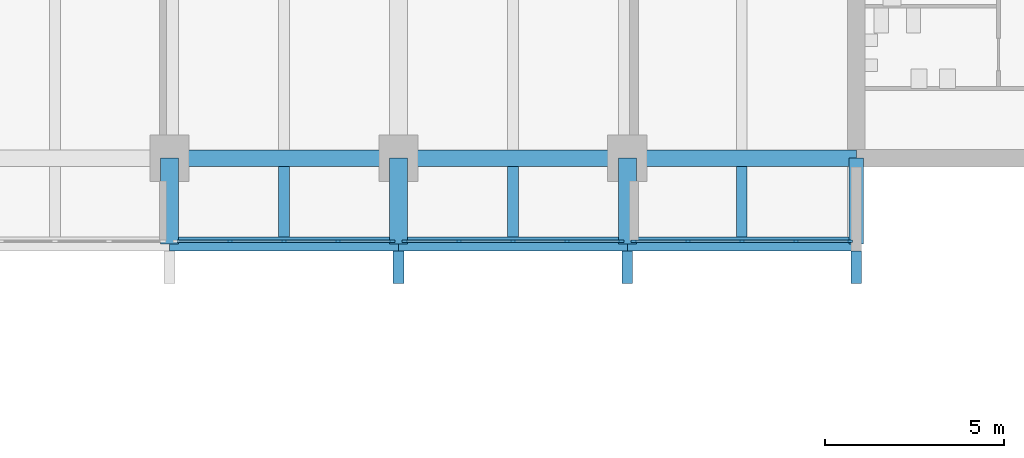
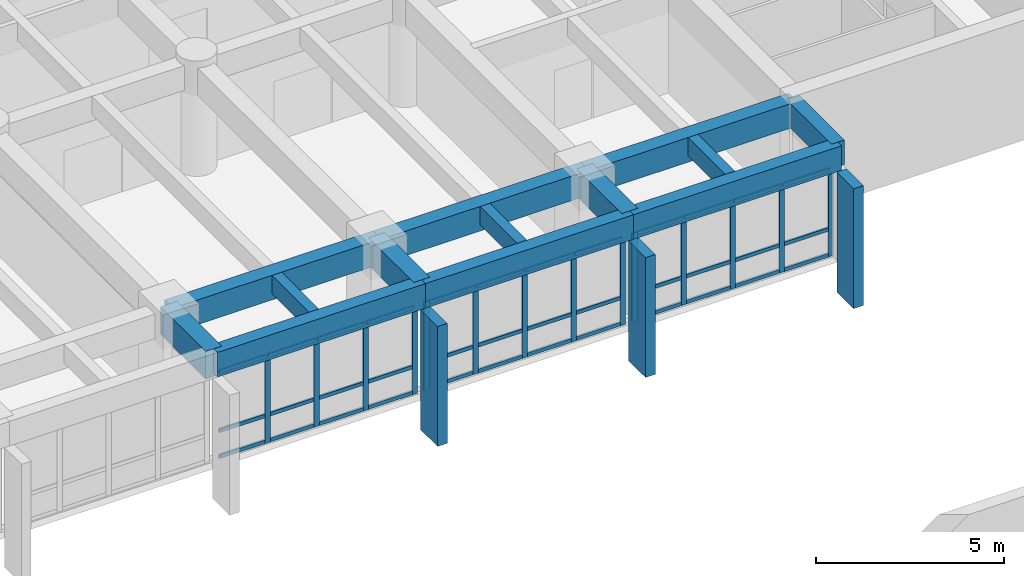
# One storey, part 3 of 19: 53 members, 13 beams, 3 elements without a shape of their own.
"""IFC4 building model written with IfcOpenShell, lengths in metres."""

import ifcopenshell
import ifcopenshell.guid

model = None  # the IFC model being written
_history = None  # IfcOwnerHistory: only IFC2X3 demands one
_inside = {}  # id of a spatial element -> (the spatial element, [elements in it])
_under = {}  # id of a project, library or spatial element -> (it, [spatial elements below it])
_declared = {}  # id of a project -> (the project, [libraries it declares])
_typed = {}  # id of a type object -> (the type object, [elements of that type])
_made_of = {}  # id of a material, layer set ... -> (it, [elements and type objects made of it])


def new_model(schema):
    """Start an empty IFC model of exactly this schema.

    Asked for "IFC4X3", IfcOpenShell would pick the latest addendum, in which some entities
    have other attributes; the version numbers below select the first issue.
    IFC2X3 requires an IfcOwnerHistory on every rooted entity: one is made here for all.
    """
    global model, _history
    if schema == "IFC4X3":
        model = ifcopenshell.file(schema_version=(4, 3, 0, 0))
    else:
        model = ifcopenshell.file(schema=schema)
    _inside.clear()
    _under.clear()
    _declared.clear()
    _typed.clear()
    _made_of.clear()
    _history = None
    if model.schema == "IFC2X3":
        org = make("IfcOrganization", Name="unknown")
        user = make(
            "IfcPersonAndOrganization",
            ThePerson=make("IfcPerson", FamilyName="unknown"),
            TheOrganization=org,
        )
        app = make(
            "IfcApplication",
            ApplicationDeveloper=org,
            Version="unknown",
            ApplicationFullName="unknown",
            ApplicationIdentifier="unknown",
        )
        _history = make(
            "IfcOwnerHistory",
            OwningUser=user,
            OwningApplication=app,
            ChangeAction="ADDED",
            CreationDate=0,
        )
    return model


def make(cls, **values):
    """One entity of the class cls with the attributes given. An attribute that is None is left unset."""
    return model.create_entity(
        cls, **{name: value for name, value in values.items() if value is not None}
    )


def rooted(cls, **values):
    """An entity with a GlobalId (a new one), such as an element, a storey or a relation."""
    return make(cls, GlobalId=ifcopenshell.guid.new(), OwnerHistory=_history, **values)


def si_unit(unit_type, name, prefix=None):
    """IfcSIUnit, for example si_unit("LENGTHUNIT", "METRE", prefix="MILLI")."""
    return make("IfcSIUnit", UnitType=unit_type, Prefix=prefix, Name=name)


def assignment(units):
    """IfcUnitAssignment: the units of a project."""
    return None if units is None else make("IfcUnitAssignment", Units=units)


def point(xyz):
    """IfcCartesianPoint."""
    return None if xyz is None else make("IfcCartesianPoint", Coordinates=xyz)


def direction(xyz):
    """IfcDirection."""
    return None if xyz is None else make("IfcDirection", DirectionRatios=xyz)


def frame(location, z_axis=None, x_axis=None):
    """IfcAxis2Placement3D, a coordinate frame: its origin and axes. An axis left out is left unset."""
    return make(
        "IfcAxis2Placement3D",
        Location=point(location),
        Axis=direction(z_axis),
        RefDirection=direction(x_axis),
    )


def frame_2d(location, x_axis=None):
    """IfcAxis2Placement2D, a coordinate frame in the plane: its origin and x axis."""
    return make(
        "IfcAxis2Placement2D", Location=point(location), RefDirection=direction(x_axis)
    )


def origin():
    """The frame at (0, 0, 0) with its axes left unset."""
    return frame((0.0, 0.0, 0.0))


def origin_2d():
    """The frame at (0, 0) in the plane with its x axis left unset."""
    return frame_2d((0.0, 0.0))


def place(relative_to, where):
    """IfcLocalPlacement: puts the frame where relative to a parent placement (None: the world)."""
    return make(
        "IfcLocalPlacement", PlacementRelTo=relative_to, RelativePlacement=where
    )


def context(
    kind, dimensions, precision=None, world=None, true_north=None, identifier=None
):
    """IfcGeometricRepresentationContext, for example the 3D "Model" context."""
    return make(
        "IfcGeometricRepresentationContext",
        ContextIdentifier=identifier,
        ContextType=kind,
        CoordinateSpaceDimension=dimensions,
        Precision=precision,
        WorldCoordinateSystem=world,
        TrueNorth=true_north,
    )


def subcontext(parent, identifier, kind, view, scale=None):
    """IfcGeometricRepresentationSubContext, for example "Body" below "Model"."""
    return make(
        "IfcGeometricRepresentationSubContext",
        ContextIdentifier=identifier,
        ContextType=kind,
        ParentContext=parent,
        TargetScale=scale,
        TargetView=view,
    )


def project(units=None, contexts=None):
    """IfcProject with its units and contexts."""
    return rooted(
        "IfcProject",
        Name="project",
        RepresentationContexts=contexts,
        UnitsInContext=assignment(units),
    )


def spatial(cls, under=None, at=None, **own):
    """A site, building, storey or space (cls), placed at a placement, below another one or the project."""
    s = rooted(cls, ObjectPlacement=at, **own)
    if under is not None:
        _under.setdefault(under.id(), (under, []))[1].append(s)
    return s


def profile(cls, at=None, kind="AREA", **sizes):
    """A parametric profile (cls). Its sizes go by their IFC names, for example OverallWidth=200.0."""
    return make(cls, ProfileType=kind, Position=at, **sizes)


def rectangle(**sizes):
    """IfcRectangleProfileDef."""
    return profile("IfcRectangleProfileDef", **sizes)


def extrude(swept, where, along, depth):
    """IfcExtrudedAreaSolid: the profile swept, set in the frame where, extruded along a direction by depth."""
    return make(
        "IfcExtrudedAreaSolid",
        SweptArea=swept,
        Position=where,
        ExtrudedDirection=direction(along),
        Depth=depth,
    )


def shape(context_of_items, identifier, shape_type, items):
    """IfcShapeRepresentation: the items that make up one representation, for example the "Body"."""
    return make(
        "IfcShapeRepresentation",
        ContextOfItems=context_of_items,
        RepresentationIdentifier=identifier,
        RepresentationType=shape_type,
        Items=items,
    )


def material(Name=None, Category=None):
    """IfcMaterial."""
    return make("IfcMaterial", Name=Name, Category=Category)


def layer(
    of_material, thickness, ventilated=None, Name=None, Category=None, Priority=None
):
    """IfcMaterialLayer: one layer of a wall or slab, of a material (None: an air gap)."""
    return make(
        "IfcMaterialLayer",
        Material=of_material,
        LayerThickness=thickness,
        IsVentilated=ventilated,
        Name=Name,
        Category=Category,
        Priority=Priority,
    )


def layer_set(layers, Name=None):
    """IfcMaterialLayerSet."""
    return make("IfcMaterialLayerSet", MaterialLayers=layers, LayerSetName=Name)


def material_profile(
    of_material, cross_section, Name=None, Category=None, Priority=None
):
    """IfcMaterialProfile: a cross section and its material."""
    return make(
        "IfcMaterialProfile",
        Name=Name,
        Material=of_material,
        Profile=cross_section,
        Priority=Priority,
        Category=Category,
    )


def profile_set(profiles, Name=None, composite=None):
    """IfcMaterialProfileSet."""
    return make(
        "IfcMaterialProfileSet",
        Name=Name,
        MaterialProfiles=profiles,
        CompositeProfile=composite,
    )


def made_of(thing, what):
    """Note that an element or type object is made of a material, layer set ...; save() writes the relation."""
    if what is not None:
        _made_of.setdefault(what.id(), (what, []))[1].append(thing)
    return thing


def type_object(cls, material=None, **own):
    """A type object (cls), such as IfcWallType, which elements share."""
    return made_of(rooted(cls, **own), material)


def element(
    cls,
    number,
    at=None,
    inside=None,
    cuts=None,
    type_object=None,
    material=None,
    context=None,
    identifier="Body",
    shape_type=None,
    held_by="IfcProductDefinitionShape",
    body=None,
    shapes=None,
    **own,
):
    """One element of the class cls, such as IfcWall. Its Tag is "e" and its number.

    at: its placement. inside: the storey or other place that contains it. cuts: it is an
    opening in that element (IfcRelVoidsElement). A single representation is given by context,
    identifier, shape_type and body (its items); several are given by shapes. held_by: the class
    of the entity that holds the representations. save() writes the other relations.
    """
    e = rooted(cls, Tag="e%d" % number, ObjectPlacement=at, **own)
    if body is not None:
        shapes = [shape(context, identifier, shape_type, body)]
    if shapes is not None:
        e.Representation = make(held_by, Representations=shapes)
    if inside is not None:
        _inside.setdefault(inside.id(), (inside, []))[1].append(e)
    if cuts is not None:
        rooted(
            "IfcRelVoidsElement", RelatingBuildingElement=cuts, RelatedOpeningElement=e
        )
    if type_object is not None:
        _typed.setdefault(type_object.id(), (type_object, []))[1].append(e)
    return made_of(e, material)


def aggregate(whole, parts):
    """IfcRelAggregates: a whole, such as a stair, and the parts it consists of."""
    return rooted("IfcRelAggregates", RelatingObject=whole, RelatedObjects=parts)


def save(model, path):
    """Write the relations noted so far, then the file.

    IfcRelAggregates (storeys below a building ...), IfcRelContainedInSpatialStructure (elements
    in a storey), IfcRelDefinesByType, IfcRelAssociatesMaterial and IfcRelDeclares: one each for
    every whole, place, type object, material and project.
    """
    for whole, parts in _under.values():
        aggregate(whole, parts)
    for where, things in _inside.values():
        rooted(
            "IfcRelContainedInSpatialStructure",
            RelatedElements=things,
            RelatingStructure=where,
        )
    for kind, things in _typed.values():
        rooted("IfcRelDefinesByType", RelatedObjects=things, RelatingType=kind)
    for what, things in _made_of.values():
        rooted("IfcRelAssociatesMaterial", RelatedObjects=things, RelatingMaterial=what)
    for by, libraries in _declared.values():
        rooted("IfcRelDeclares", RelatingContext=by, RelatedDefinitions=libraries)
    model.write(path)


model = new_model("IFC4")

# Units and contexts
model_context = context("Model", 3, precision=1e-05, world=origin(), true_north=direction((0.0, 1.0)))
body_context = subcontext(model_context, "Body", "Model", "MODEL_VIEW")
ifc_project = project(units=[si_unit("LENGTHUNIT", "METRE"), si_unit("AREAUNIT", "SQUARE_METRE"), si_unit("VOLUMEUNIT", "CUBIC_METRE"), si_unit("PLANEANGLEUNIT", "RADIAN"), si_unit("MASSUNIT", "GRAM", prefix="KILO")], contexts=[model_context])

# Site, building, storey
site_placement = place(None, origin())
site = spatial("IfcSite", under=ifc_project, at=site_placement, CompositionType="ELEMENT")
building_placement = place(site_placement, origin())
building = spatial("IfcBuilding", under=site, at=building_placement, Name="Fogon Plaza Fire Station and Headquarters Tower", CompositionType="ELEMENT")
storey_placement = place(building_placement, frame((0.0, 0.0, 17.10009765625)))
storey = spatial("IfcBuildingStorey", under=building, at=storey_placement, Name="L04", CompositionType="ELEMENT", Elevation=17.10009765625)

# Beams
ifc_material_1 = material(Name="Concrete C40", Category="concrete")
ifc_material_profile_1 = material_profile(ifc_material_1, rectangle(XDim=0.39990234375, YDim=0.800048828125, at=origin_2d()), Name="RC 400x800")
ifc_profile_set_1 = profile_set([ifc_material_profile_1], Name="Concrete C40")
beam_type_1 = type_object("IfcBeamType", Name="BEAM RC 400x800", PredefinedType="BEAM", material=ifc_profile_set_1)
beam_1_placement = place(storey_placement, frame((44.800048828125, 31.199951171875, 3.27978515625), z_axis=(1.0, 0.0, 0.0), x_axis=(0.0, 1.0, 0.0)))
element("IfcBeam", 1, at=beam_1_placement, inside=storey, type_object=beam_type_1, Name="beam-L04-042", PredefinedType="BEAM", context=body_context, shape_type="SweptSolid", body=[
    extrude(rectangle(XDim=0.39990234375, YDim=0.800048828125, at=origin_2d()), origin(), (0.0, 0.0, 1.0), 6.39990234375),
])
beam_2_placement = place(storey_placement, frame((51.199951171875, 31.199951171875, 3.27978515625), z_axis=(1.0, 0.0, 0.0), x_axis=(0.0, 1.0, 0.0)))
element("IfcBeam", 2, at=beam_2_placement, inside=storey, type_object=beam_type_1, Name="beam-L04-043", PredefinedType="BEAM", context=body_context, shape_type="SweptSolid", body=[
    extrude(rectangle(XDim=0.39990234375, YDim=0.800048828125, at=origin_2d()), origin(), (0.0, 0.0, 1.0), 6.400146484375),
])
beam_3_placement = place(storey_placement, frame((57.60009765625, 31.199951171875, 3.27978515625), z_axis=(1.0, 0.0, 0.0), x_axis=(0.0, 1.0, 0.0)))
element("IfcBeam", 3, at=beam_3_placement, inside=storey, type_object=beam_type_1, Name="beam-L04-044", PredefinedType="BEAM", context=body_context, shape_type="SweptSolid", body=[
    extrude(rectangle(XDim=0.39990234375, YDim=0.800048828125, at=origin_2d()), origin(), (0.0, 0.0, 1.0), 6.39990234375),
])
ifc_material_2 = material(Name="Concrete C40", Category="concrete")
ifc_material_profile_2 = material_profile(ifc_material_2, rectangle(XDim=0.39990234375, YDim=0.800048828125, at=origin_2d()), Name="RC 400x800")
ifc_profile_set_2 = profile_set([ifc_material_profile_2], Name="Concrete C40")
beam_type_2 = type_object("IfcBeamType", Name="BEAM RC 400x800 SPAN 0.0 TO 3.0 M", PredefinedType="BEAM", material=ifc_profile_set_2)
beam_4_placement = place(storey_placement, frame((64.0, 31.199951171875, 3.27978515625), z_axis=(0.0, 1.0, 0.0), x_axis=(-1.0, 0.0, 0.0)))
element("IfcBeam", 4, at=beam_4_placement, inside=storey, type_object=beam_type_2, Name="beam-L04-053", PredefinedType="BEAM", context=body_context, shape_type="SweptSolid", body=[
    extrude(rectangle(XDim=0.39990234375, YDim=0.800048828125, at=origin_2d()), origin(), (0.0, 0.0, 1.0), 2.400146484375),
])
ifc_material_3 = material(Name="Concrete C40", Category="concrete")
ifc_material_profile_3 = material_profile(ifc_material_3, rectangle(XDim=0.449951171875, YDim=0.800048828125, at=origin_2d()), Name="RC 450x800")
ifc_profile_set_3 = profile_set([ifc_material_profile_3], Name="Concrete C40")
beam_type_3 = type_object("IfcBeamType", Name="BEAM RC 450x800", PredefinedType="BEAM", material=ifc_profile_set_3)
beam_5_placement = place(storey_placement, frame((44.800048828125, 33.60009765625, 3.27978515625), z_axis=(1.0, 0.0, 0.0), x_axis=(0.0, 1.0, 0.0)))
element("IfcBeam", 5, at=beam_5_placement, inside=storey, type_object=beam_type_3, Name="beam-L04-024", PredefinedType="BEAM", context=body_context, shape_type="SweptSolid", body=[
    extrude(rectangle(XDim=0.449951171875, YDim=0.800048828125, at=origin_2d()), origin(), (0.0, 0.0, 1.0), 6.39990234375),
])
beam_6_placement = place(storey_placement, frame((51.199951171875, 33.60009765625, 3.27978515625), z_axis=(1.0, 0.0, 0.0), x_axis=(0.0, 1.0, 0.0)))
element("IfcBeam", 6, at=beam_6_placement, inside=storey, type_object=beam_type_3, Name="beam-L04-025", PredefinedType="BEAM", context=body_context, shape_type="SweptSolid", body=[
    extrude(rectangle(XDim=0.449951171875, YDim=0.800048828125, at=origin_2d()), origin(), (0.0, 0.0, 1.0), 6.400146484375),
])
beam_7_placement = place(storey_placement, frame((57.60009765625, 33.60009765625, 3.27978515625), z_axis=(1.0, 0.0, 0.0), x_axis=(0.0, 1.0, 0.0)))
element("IfcBeam", 7, at=beam_7_placement, inside=storey, type_object=beam_type_3, Name="beam-L04-026", PredefinedType="BEAM", context=body_context, shape_type="SweptSolid", body=[
    extrude(rectangle(XDim=0.449951171875, YDim=0.800048828125, at=origin_2d()), origin(), (0.0, 0.0, 1.0), 6.39990234375),
])
ifc_material_4 = material(Name="Concrete C40", Category="concrete")
ifc_material_profile_4 = material_profile(ifc_material_4, rectangle(XDim=0.5, YDim=0.89990234375, at=origin_2d()), Name="RC 500x900")
ifc_profile_set_4 = profile_set([ifc_material_profile_4], Name="Concrete C40")
beam_type_4 = type_object("IfcBeamType", Name="BEAM RC 500x900 SPAN 0.0 TO 3.0 M", PredefinedType="BEAM", material=ifc_profile_set_4)
for number, where, z_axis, x_axis, name in (
    (8, (44.800048828125, 31.199951171875, 3.22998046875), (0.0, 1.0, 0.0), (-1.0, 0.0, 0.0), "beam-L04-009"),
    (9, (51.199951171875, 31.199951171875, 3.22998046875), (0.0, 1.0, 0.0), (-1.0, 0.0, 0.0), "beam-L04-013"),
    (10, (57.60009765625, 31.199951171875, 3.22998046875), (0.0, 1.0, 0.0), (-1.0, 0.0, 0.0), "beam-L04-017"),
):
    element("IfcBeam", number, at=place(storey_placement, frame(where, z_axis=z_axis, x_axis=x_axis)), inside=storey, type_object=beam_type_4, Name=name, PredefinedType="BEAM", context=body_context, shape_type="SweptSolid", body=[
        extrude(rectangle(XDim=0.5, YDim=0.89990234375, at=origin_2d()), origin(), (0.0, 0.0, 1.0), 2.400146484375),
    ])

# Curtain wall, members
ifc_material_5 = material(Name="Aluminium and glass", Category="aluminium")
ifc_layer = layer(ifc_material_5, 0.14990234375)
ifc_layer_set = layer_set([ifc_layer], Name="Aluminium and glass")
curtain_wall_type = type_object("IfcCurtainWallType", Name="Unitised Curtain Wall Run 6100x2880", PredefinedType="NOTDEFINED", material=ifc_layer_set)
curtain_wall_1_placement = place(storey_placement, origin())
curtain_wall_1 = element("IfcCurtainWall", 11, at=curtain_wall_1_placement, inside=storey, type_object=curtain_wall_type, Name="CW-6100x2880 S4 L04", PredefinedType="NOTDEFINED")
ifc_material_6 = material(Name="Aluminium", Category="aluminium")
ifc_material_profile_5 = material_profile(ifc_material_6, rectangle(XDim=0.06005859375, YDim=0.159912109375, at=origin_2d()), Name="Curtain Wall Mullion 60x160")
ifc_profile_set_5 = profile_set([ifc_material_profile_5], Name="Aluminium")
member_type_1 = type_object("IfcMemberType", Name="Curtain Wall Mullion 60x160", PredefinedType="MULLION", material=ifc_profile_set_5)
member_1_placement = place(storey_placement, frame((46.489990234375, 31.280029296875, 0.0), z_axis=(0.0, 0.0, 1.0), x_axis=(0.0, 1.0, 0.0)))
member_1 = element("IfcMember", 12, at=member_1_placement, type_object=member_type_1, Name="CW-6100x2880 mullion 2", PredefinedType="MULLION", context=body_context, shape_type="SweptSolid", body=[
    extrude(rectangle(XDim=0.06005859375, YDim=0.159912109375, at=origin_2d()), origin(), (0.0, 0.0, 1.0), 2.8798828125),
])
member_2_placement = place(storey_placement, frame((48.0, 31.280029296875, 0.0), z_axis=(0.0, 0.0, 1.0), x_axis=(0.0, 1.0, 0.0)))
member_2 = element("IfcMember", 13, at=member_2_placement, type_object=member_type_1, Name="CW-6100x2880 mullion 3", PredefinedType="MULLION", context=body_context, shape_type="SweptSolid", body=[
    extrude(rectangle(XDim=0.06005859375, YDim=0.159912109375, at=origin_2d()), origin(), (0.0, 0.0, 1.0), 2.8798828125),
])
member_3_placement = place(storey_placement, frame((49.510009765625, 31.280029296875, 0.0), z_axis=(0.0, 0.0, 1.0), x_axis=(0.0, 1.0, 0.0)))
member_3 = element("IfcMember", 14, at=member_3_placement, type_object=member_type_1, Name="CW-6100x2880 mullion 4", PredefinedType="MULLION", context=body_context, shape_type="SweptSolid", body=[
    extrude(rectangle(XDim=0.06005859375, YDim=0.159912109375, at=origin_2d()), origin(), (0.0, 0.0, 1.0), 2.8798828125),
])
member_4_placement = place(storey_placement, frame((51.02001953125, 31.280029296875, 0.0), z_axis=(0.0, 0.0, 1.0), x_axis=(0.0, 1.0, 0.0)))
member_4 = element("IfcMember", 15, at=member_4_placement, type_object=member_type_1, Name="CW-6100x2880 mullion 5", PredefinedType="MULLION", context=body_context, shape_type="SweptSolid", body=[
    extrude(rectangle(XDim=0.06005859375, YDim=0.159912109375, at=origin_2d()), origin(), (0.0, 0.0, 1.0), 2.8798828125),
])

curtain_wall_2_placement = place(storey_placement, origin())
curtain_wall_2 = element("IfcCurtainWall", 16, at=curtain_wall_2_placement, inside=storey, type_object=curtain_wall_type, Name="CW-6100x2880 S5 L04", PredefinedType="NOTDEFINED")
member_5_placement = place(storey_placement, frame((51.3798828125, 31.280029296875, 0.0), z_axis=(0.0, 0.0, 1.0), x_axis=(0.0, 1.0, 0.0)))
member_5 = element("IfcMember", 17, at=member_5_placement, type_object=member_type_1, Name="CW-6100x2880 mullion 1", PredefinedType="MULLION", context=body_context, shape_type="SweptSolid", body=[
    extrude(rectangle(XDim=0.06005859375, YDim=0.159912109375, at=origin_2d()), origin(), (0.0, 0.0, 1.0), 2.8798828125),
])
member_6_placement = place(storey_placement, frame((52.889892578125, 31.280029296875, 0.0), z_axis=(0.0, 0.0, 1.0), x_axis=(0.0, 1.0, 0.0)))
member_6 = element("IfcMember", 18, at=member_6_placement, type_object=member_type_1, Name="CW-6100x2880 mullion 2", PredefinedType="MULLION", context=body_context, shape_type="SweptSolid", body=[
    extrude(rectangle(XDim=0.06005859375, YDim=0.159912109375, at=origin_2d()), origin(), (0.0, 0.0, 1.0), 2.8798828125),
])
member_7_placement = place(storey_placement, frame((54.39990234375, 31.280029296875, 0.0), z_axis=(0.0, 0.0, 1.0), x_axis=(0.0, 1.0, 0.0)))
member_7 = element("IfcMember", 19, at=member_7_placement, type_object=member_type_1, Name="CW-6100x2880 mullion 3", PredefinedType="MULLION", context=body_context, shape_type="SweptSolid", body=[
    extrude(rectangle(XDim=0.06005859375, YDim=0.159912109375, at=origin_2d()), origin(), (0.0, 0.0, 1.0), 2.8798828125),
])
member_8_placement = place(storey_placement, frame((55.909912109375, 31.280029296875, 0.0), z_axis=(0.0, 0.0, 1.0), x_axis=(0.0, 1.0, 0.0)))
member_8 = element("IfcMember", 20, at=member_8_placement, type_object=member_type_1, Name="CW-6100x2880 mullion 4", PredefinedType="MULLION", context=body_context, shape_type="SweptSolid", body=[
    extrude(rectangle(XDim=0.06005859375, YDim=0.159912109375, at=origin_2d()), origin(), (0.0, 0.0, 1.0), 2.8798828125),
])
member_9_placement = place(storey_placement, frame((57.419921875, 31.280029296875, 0.0), z_axis=(0.0, 0.0, 1.0), x_axis=(0.0, 1.0, 0.0)))
member_9 = element("IfcMember", 21, at=member_9_placement, type_object=member_type_1, Name="CW-6100x2880 mullion 5", PredefinedType="MULLION", context=body_context, shape_type="SweptSolid", body=[
    extrude(rectangle(XDim=0.06005859375, YDim=0.159912109375, at=origin_2d()), origin(), (0.0, 0.0, 1.0), 2.8798828125),
])

curtain_wall_3_placement = place(storey_placement, origin())
curtain_wall_3 = element("IfcCurtainWall", 22, at=curtain_wall_3_placement, inside=storey, type_object=curtain_wall_type, Name="CW-6100x2880 S6 L04", PredefinedType="NOTDEFINED")
member_10_placement = place(storey_placement, frame((57.780029296875, 31.280029296875, 0.0), z_axis=(0.0, 0.0, 1.0), x_axis=(0.0, 1.0, 0.0)))
member_10 = element("IfcMember", 23, at=member_10_placement, type_object=member_type_1, Name="CW-6100x2880 mullion 1", PredefinedType="MULLION", context=body_context, shape_type="SweptSolid", body=[
    extrude(rectangle(XDim=0.06005859375, YDim=0.159912109375, at=origin_2d()), origin(), (0.0, 0.0, 1.0), 2.8798828125),
])
member_11_placement = place(storey_placement, frame((59.2900390625, 31.280029296875, 0.0), z_axis=(0.0, 0.0, 1.0), x_axis=(0.0, 1.0, 0.0)))
member_11 = element("IfcMember", 24, at=member_11_placement, type_object=member_type_1, Name="CW-6100x2880 mullion 2", PredefinedType="MULLION", context=body_context, shape_type="SweptSolid", body=[
    extrude(rectangle(XDim=0.06005859375, YDim=0.159912109375, at=origin_2d()), origin(), (0.0, 0.0, 1.0), 2.8798828125),
])
member_12_placement = place(storey_placement, frame((60.800048828125, 31.280029296875, 0.0), z_axis=(0.0, 0.0, 1.0), x_axis=(0.0, 1.0, 0.0)))
member_12 = element("IfcMember", 25, at=member_12_placement, type_object=member_type_1, Name="CW-6100x2880 mullion 3", PredefinedType="MULLION", context=body_context, shape_type="SweptSolid", body=[
    extrude(rectangle(XDim=0.06005859375, YDim=0.159912109375, at=origin_2d()), origin(), (0.0, 0.0, 1.0), 2.8798828125),
])
member_13_placement = place(storey_placement, frame((62.31005859375, 31.280029296875, 0.0), z_axis=(0.0, 0.0, 1.0), x_axis=(0.0, 1.0, 0.0)))
member_13 = element("IfcMember", 26, at=member_13_placement, type_object=member_type_1, Name="CW-6100x2880 mullion 4", PredefinedType="MULLION", context=body_context, shape_type="SweptSolid", body=[
    extrude(rectangle(XDim=0.06005859375, YDim=0.159912109375, at=origin_2d()), origin(), (0.0, 0.0, 1.0), 2.8798828125),
])
member_14_placement = place(storey_placement, frame((63.820068359375, 31.280029296875, 0.0), z_axis=(0.0, 0.0, 1.0), x_axis=(0.0, 1.0, 0.0)))
member_14 = element("IfcMember", 27, at=member_14_placement, type_object=member_type_1, Name="CW-6100x2880 mullion 5", PredefinedType="MULLION", context=body_context, shape_type="SweptSolid", body=[
    extrude(rectangle(XDim=0.06005859375, YDim=0.159912109375, at=origin_2d()), origin(), (0.0, 0.0, 1.0), 2.8798828125),
])

# Member
ifc_material_7 = material(Name="Aluminium", Category="aluminium")
ifc_material_profile_6 = material_profile(ifc_material_7, rectangle(XDim=0.06005859375, YDim=0.1201171875, at=origin_2d()), Name="Curtain Wall Transom 60x120")
ifc_profile_set_6 = profile_set([ifc_material_profile_6], Name="Aluminium")
member_type_2 = type_object("IfcMemberType", Name="Curtain Wall Transom 60x120", PredefinedType="USERDEFINED", material=ifc_profile_set_6)
member_15_placement = place(storey_placement, frame((45.010009765625, 31.280029296875, 0.059814453125), z_axis=(1.0, 0.0, 0.0), x_axis=(0.0, 1.0, 0.0)))
member_15 = element("IfcMember", 28, at=member_15_placement, type_object=member_type_2, Name="CW-6100x2880 transom 1.1", ObjectType="TRANSOM", PredefinedType="USERDEFINED", context=body_context, shape_type="SweptSolid", body=[
    extrude(rectangle(XDim=0.06005859375, YDim=0.1201171875, at=origin_2d()), origin(), (0.0, 0.0, 1.0), 1.449951171875),
])

member_16_placement = place(storey_placement, frame((45.010009765625, 31.280029296875, 0.89990234375), z_axis=(1.0, 0.0, 0.0), x_axis=(0.0, 1.0, 0.0)))
member_16 = element("IfcMember", 29, at=member_16_placement, type_object=member_type_2, Name="CW-6100x2880 transom 1.2", ObjectType="TRANSOM", PredefinedType="USERDEFINED", context=body_context, shape_type="SweptSolid", body=[
    extrude(rectangle(XDim=0.06005859375, YDim=0.1201171875, at=origin_2d()), origin(), (0.0, 0.0, 1.0), 1.449951171875),
])

member_17_placement = place(storey_placement, frame((45.010009765625, 31.280029296875, 2.81982421875), z_axis=(1.0, 0.0, 0.0), x_axis=(0.0, 1.0, 0.0)))
member_17 = element("IfcMember", 30, at=member_17_placement, type_object=member_type_2, Name="CW-6100x2880 transom 1.3", ObjectType="TRANSOM", PredefinedType="USERDEFINED", context=body_context, shape_type="SweptSolid", body=[
    extrude(rectangle(XDim=0.06005859375, YDim=0.1201171875, at=origin_2d()), origin(), (0.0, 0.0, 1.0), 1.449951171875),
])

member_18_placement = place(storey_placement, frame((46.52001953125, 31.280029296875, 0.059814453125), z_axis=(1.0, 0.0, 0.0), x_axis=(0.0, 1.0, 0.0)))
member_18 = element("IfcMember", 31, at=member_18_placement, type_object=member_type_2, Name="CW-6100x2880 transom 2.1", ObjectType="TRANSOM", PredefinedType="USERDEFINED", context=body_context, shape_type="SweptSolid", body=[
    extrude(rectangle(XDim=0.06005859375, YDim=0.1201171875, at=origin_2d()), origin(), (0.0, 0.0, 1.0), 1.449951171875),
])

member_19_placement = place(storey_placement, frame((46.52001953125, 31.280029296875, 0.89990234375), z_axis=(1.0, 0.0, 0.0), x_axis=(0.0, 1.0, 0.0)))
member_19 = element("IfcMember", 32, at=member_19_placement, type_object=member_type_2, Name="CW-6100x2880 transom 2.2", ObjectType="TRANSOM", PredefinedType="USERDEFINED", context=body_context, shape_type="SweptSolid", body=[
    extrude(rectangle(XDim=0.06005859375, YDim=0.1201171875, at=origin_2d()), origin(), (0.0, 0.0, 1.0), 1.449951171875),
])

member_20_placement = place(storey_placement, frame((46.52001953125, 31.280029296875, 2.81982421875), z_axis=(1.0, 0.0, 0.0), x_axis=(0.0, 1.0, 0.0)))
member_20 = element("IfcMember", 33, at=member_20_placement, type_object=member_type_2, Name="CW-6100x2880 transom 2.3", ObjectType="TRANSOM", PredefinedType="USERDEFINED", context=body_context, shape_type="SweptSolid", body=[
    extrude(rectangle(XDim=0.06005859375, YDim=0.1201171875, at=origin_2d()), origin(), (0.0, 0.0, 1.0), 1.449951171875),
])

member_21_placement = place(storey_placement, frame((48.030029296875, 31.280029296875, 0.059814453125), z_axis=(1.0, 0.0, 0.0), x_axis=(0.0, 1.0, 0.0)))
member_21 = element("IfcMember", 34, at=member_21_placement, type_object=member_type_2, Name="CW-6100x2880 transom 3.1", ObjectType="TRANSOM", PredefinedType="USERDEFINED", context=body_context, shape_type="SweptSolid", body=[
    extrude(rectangle(XDim=0.06005859375, YDim=0.1201171875, at=origin_2d()), origin(), (0.0, 0.0, 1.0), 1.449951171875),
])

member_22_placement = place(storey_placement, frame((48.030029296875, 31.280029296875, 0.89990234375), z_axis=(1.0, 0.0, 0.0), x_axis=(0.0, 1.0, 0.0)))
member_22 = element("IfcMember", 35, at=member_22_placement, type_object=member_type_2, Name="CW-6100x2880 transom 3.2", ObjectType="TRANSOM", PredefinedType="USERDEFINED", context=body_context, shape_type="SweptSolid", body=[
    extrude(rectangle(XDim=0.06005859375, YDim=0.1201171875, at=origin_2d()), origin(), (0.0, 0.0, 1.0), 1.449951171875),
])

member_23_placement = place(storey_placement, frame((48.030029296875, 31.280029296875, 2.81982421875), z_axis=(1.0, 0.0, 0.0), x_axis=(0.0, 1.0, 0.0)))
member_23 = element("IfcMember", 36, at=member_23_placement, type_object=member_type_2, Name="CW-6100x2880 transom 3.3", ObjectType="TRANSOM", PredefinedType="USERDEFINED", context=body_context, shape_type="SweptSolid", body=[
    extrude(rectangle(XDim=0.06005859375, YDim=0.1201171875, at=origin_2d()), origin(), (0.0, 0.0, 1.0), 1.449951171875),
])

member_24_placement = place(storey_placement, frame((49.5400390625, 31.280029296875, 0.059814453125), z_axis=(1.0, 0.0, 0.0), x_axis=(0.0, 1.0, 0.0)))
member_24 = element("IfcMember", 37, at=member_24_placement, type_object=member_type_2, Name="CW-6100x2880 transom 4.1", ObjectType="TRANSOM", PredefinedType="USERDEFINED", context=body_context, shape_type="SweptSolid", body=[
    extrude(rectangle(XDim=0.06005859375, YDim=0.1201171875, at=origin_2d()), origin(), (0.0, 0.0, 1.0), 1.449951171875),
])

member_25_placement = place(storey_placement, frame((49.5400390625, 31.280029296875, 0.89990234375), z_axis=(1.0, 0.0, 0.0), x_axis=(0.0, 1.0, 0.0)))
member_25 = element("IfcMember", 38, at=member_25_placement, type_object=member_type_2, Name="CW-6100x2880 transom 4.2", ObjectType="TRANSOM", PredefinedType="USERDEFINED", context=body_context, shape_type="SweptSolid", body=[
    extrude(rectangle(XDim=0.06005859375, YDim=0.1201171875, at=origin_2d()), origin(), (0.0, 0.0, 1.0), 1.449951171875),
])

member_26_placement = place(storey_placement, frame((49.5400390625, 31.280029296875, 2.81982421875), z_axis=(1.0, 0.0, 0.0), x_axis=(0.0, 1.0, 0.0)))
member_26 = element("IfcMember", 39, at=member_26_placement, type_object=member_type_2, Name="CW-6100x2880 transom 4.3", ObjectType="TRANSOM", PredefinedType="USERDEFINED", context=body_context, shape_type="SweptSolid", body=[
    extrude(rectangle(XDim=0.06005859375, YDim=0.1201171875, at=origin_2d()), origin(), (0.0, 0.0, 1.0), 1.449951171875),
])

aggregate(curtain_wall_1, [member_1, member_2, member_3, member_4, member_15, member_16, member_17, member_18, member_19, member_20, member_21, member_22, member_23, member_24, member_25, member_26])

member_27_placement = place(storey_placement, frame((51.409912109375, 31.280029296875, 0.059814453125), z_axis=(1.0, 0.0, 0.0), x_axis=(0.0, 1.0, 0.0)))
member_27 = element("IfcMember", 40, at=member_27_placement, type_object=member_type_2, Name="CW-6100x2880 transom 1.1", ObjectType="TRANSOM", PredefinedType="USERDEFINED", context=body_context, shape_type="SweptSolid", body=[
    extrude(rectangle(XDim=0.06005859375, YDim=0.1201171875, at=origin_2d()), origin(), (0.0, 0.0, 1.0), 1.4501953125),
])

member_28_placement = place(storey_placement, frame((51.409912109375, 31.280029296875, 0.89990234375), z_axis=(1.0, 0.0, 0.0), x_axis=(0.0, 1.0, 0.0)))
member_28 = element("IfcMember", 41, at=member_28_placement, type_object=member_type_2, Name="CW-6100x2880 transom 1.2", ObjectType="TRANSOM", PredefinedType="USERDEFINED", context=body_context, shape_type="SweptSolid", body=[
    extrude(rectangle(XDim=0.06005859375, YDim=0.1201171875, at=origin_2d()), origin(), (0.0, 0.0, 1.0), 1.4501953125),
])

member_29_placement = place(storey_placement, frame((51.409912109375, 31.280029296875, 2.81982421875), z_axis=(1.0, 0.0, 0.0), x_axis=(0.0, 1.0, 0.0)))
member_29 = element("IfcMember", 42, at=member_29_placement, type_object=member_type_2, Name="CW-6100x2880 transom 1.3", ObjectType="TRANSOM", PredefinedType="USERDEFINED", context=body_context, shape_type="SweptSolid", body=[
    extrude(rectangle(XDim=0.06005859375, YDim=0.1201171875, at=origin_2d()), origin(), (0.0, 0.0, 1.0), 1.4501953125),
])

member_30_placement = place(storey_placement, frame((52.919921875, 31.280029296875, 0.059814453125), z_axis=(1.0, 0.0, 0.0), x_axis=(0.0, 1.0, 0.0)))
member_30 = element("IfcMember", 43, at=member_30_placement, type_object=member_type_2, Name="CW-6100x2880 transom 2.1", ObjectType="TRANSOM", PredefinedType="USERDEFINED", context=body_context, shape_type="SweptSolid", body=[
    extrude(rectangle(XDim=0.06005859375, YDim=0.1201171875, at=origin_2d()), origin(), (0.0, 0.0, 1.0), 1.4501953125),
])

member_31_placement = place(storey_placement, frame((52.919921875, 31.280029296875, 0.89990234375), z_axis=(1.0, 0.0, 0.0), x_axis=(0.0, 1.0, 0.0)))
member_31 = element("IfcMember", 44, at=member_31_placement, type_object=member_type_2, Name="CW-6100x2880 transom 2.2", ObjectType="TRANSOM", PredefinedType="USERDEFINED", context=body_context, shape_type="SweptSolid", body=[
    extrude(rectangle(XDim=0.06005859375, YDim=0.1201171875, at=origin_2d()), origin(), (0.0, 0.0, 1.0), 1.4501953125),
])

member_32_placement = place(storey_placement, frame((52.919921875, 31.280029296875, 2.81982421875), z_axis=(1.0, 0.0, 0.0), x_axis=(0.0, 1.0, 0.0)))
member_32 = element("IfcMember", 45, at=member_32_placement, type_object=member_type_2, Name="CW-6100x2880 transom 2.3", ObjectType="TRANSOM", PredefinedType="USERDEFINED", context=body_context, shape_type="SweptSolid", body=[
    extrude(rectangle(XDim=0.06005859375, YDim=0.1201171875, at=origin_2d()), origin(), (0.0, 0.0, 1.0), 1.4501953125),
])

member_33_placement = place(storey_placement, frame((54.429931640625, 31.280029296875, 0.059814453125), z_axis=(1.0, 0.0, 0.0), x_axis=(0.0, 1.0, 0.0)))
member_33 = element("IfcMember", 46, at=member_33_placement, type_object=member_type_2, Name="CW-6100x2880 transom 3.1", ObjectType="TRANSOM", PredefinedType="USERDEFINED", context=body_context, shape_type="SweptSolid", body=[
    extrude(rectangle(XDim=0.06005859375, YDim=0.1201171875, at=origin_2d()), origin(), (0.0, 0.0, 1.0), 1.449951171875),
])

member_34_placement = place(storey_placement, frame((54.429931640625, 31.280029296875, 0.89990234375), z_axis=(1.0, 0.0, 0.0), x_axis=(0.0, 1.0, 0.0)))
member_34 = element("IfcMember", 47, at=member_34_placement, type_object=member_type_2, Name="CW-6100x2880 transom 3.2", ObjectType="TRANSOM", PredefinedType="USERDEFINED", context=body_context, shape_type="SweptSolid", body=[
    extrude(rectangle(XDim=0.06005859375, YDim=0.1201171875, at=origin_2d()), origin(), (0.0, 0.0, 1.0), 1.449951171875),
])

member_35_placement = place(storey_placement, frame((54.429931640625, 31.280029296875, 2.81982421875), z_axis=(1.0, 0.0, 0.0), x_axis=(0.0, 1.0, 0.0)))
member_35 = element("IfcMember", 48, at=member_35_placement, type_object=member_type_2, Name="CW-6100x2880 transom 3.3", ObjectType="TRANSOM", PredefinedType="USERDEFINED", context=body_context, shape_type="SweptSolid", body=[
    extrude(rectangle(XDim=0.06005859375, YDim=0.1201171875, at=origin_2d()), origin(), (0.0, 0.0, 1.0), 1.449951171875),
])

member_36_placement = place(storey_placement, frame((55.93994140625, 31.280029296875, 0.059814453125), z_axis=(1.0, 0.0, 0.0), x_axis=(0.0, 1.0, 0.0)))
member_36 = element("IfcMember", 49, at=member_36_placement, type_object=member_type_2, Name="CW-6100x2880 transom 4.1", ObjectType="TRANSOM", PredefinedType="USERDEFINED", context=body_context, shape_type="SweptSolid", body=[
    extrude(rectangle(XDim=0.06005859375, YDim=0.1201171875, at=origin_2d()), origin(), (0.0, 0.0, 1.0), 1.449951171875),
])

member_37_placement = place(storey_placement, frame((55.93994140625, 31.280029296875, 0.89990234375), z_axis=(1.0, 0.0, 0.0), x_axis=(0.0, 1.0, 0.0)))
member_37 = element("IfcMember", 50, at=member_37_placement, type_object=member_type_2, Name="CW-6100x2880 transom 4.2", ObjectType="TRANSOM", PredefinedType="USERDEFINED", context=body_context, shape_type="SweptSolid", body=[
    extrude(rectangle(XDim=0.06005859375, YDim=0.1201171875, at=origin_2d()), origin(), (0.0, 0.0, 1.0), 1.449951171875),
])

member_38_placement = place(storey_placement, frame((55.93994140625, 31.280029296875, 2.81982421875), z_axis=(1.0, 0.0, 0.0), x_axis=(0.0, 1.0, 0.0)))
member_38 = element("IfcMember", 51, at=member_38_placement, type_object=member_type_2, Name="CW-6100x2880 transom 4.3", ObjectType="TRANSOM", PredefinedType="USERDEFINED", context=body_context, shape_type="SweptSolid", body=[
    extrude(rectangle(XDim=0.06005859375, YDim=0.1201171875, at=origin_2d()), origin(), (0.0, 0.0, 1.0), 1.449951171875),
])

aggregate(curtain_wall_2, [member_5, member_6, member_7, member_8, member_9, member_27, member_28, member_29, member_30, member_31, member_32, member_33, member_34, member_35, member_36, member_37, member_38])

member_39_placement = place(storey_placement, frame((57.81005859375, 31.280029296875, 0.059814453125), z_axis=(1.0, 0.0, 0.0), x_axis=(0.0, 1.0, 0.0)))
member_39 = element("IfcMember", 52, at=member_39_placement, type_object=member_type_2, Name="CW-6100x2880 transom 1.1", ObjectType="TRANSOM", PredefinedType="USERDEFINED", context=body_context, shape_type="SweptSolid", body=[
    extrude(rectangle(XDim=0.06005859375, YDim=0.1201171875, at=origin_2d()), origin(), (0.0, 0.0, 1.0), 1.449951171875),
])

member_40_placement = place(storey_placement, frame((57.81005859375, 31.280029296875, 0.89990234375), z_axis=(1.0, 0.0, 0.0), x_axis=(0.0, 1.0, 0.0)))
member_40 = element("IfcMember", 53, at=member_40_placement, type_object=member_type_2, Name="CW-6100x2880 transom 1.2", ObjectType="TRANSOM", PredefinedType="USERDEFINED", context=body_context, shape_type="SweptSolid", body=[
    extrude(rectangle(XDim=0.06005859375, YDim=0.1201171875, at=origin_2d()), origin(), (0.0, 0.0, 1.0), 1.449951171875),
])

member_41_placement = place(storey_placement, frame((57.81005859375, 31.280029296875, 2.81982421875), z_axis=(1.0, 0.0, 0.0), x_axis=(0.0, 1.0, 0.0)))
member_41 = element("IfcMember", 54, at=member_41_placement, type_object=member_type_2, Name="CW-6100x2880 transom 1.3", ObjectType="TRANSOM", PredefinedType="USERDEFINED", context=body_context, shape_type="SweptSolid", body=[
    extrude(rectangle(XDim=0.06005859375, YDim=0.1201171875, at=origin_2d()), origin(), (0.0, 0.0, 1.0), 1.449951171875),
])

member_42_placement = place(storey_placement, frame((59.320068359375, 31.280029296875, 0.059814453125), z_axis=(1.0, 0.0, 0.0), x_axis=(0.0, 1.0, 0.0)))
member_42 = element("IfcMember", 55, at=member_42_placement, type_object=member_type_2, Name="CW-6100x2880 transom 2.1", ObjectType="TRANSOM", PredefinedType="USERDEFINED", context=body_context, shape_type="SweptSolid", body=[
    extrude(rectangle(XDim=0.06005859375, YDim=0.1201171875, at=origin_2d()), origin(), (0.0, 0.0, 1.0), 1.449951171875),
])

member_43_placement = place(storey_placement, frame((59.320068359375, 31.280029296875, 0.89990234375), z_axis=(1.0, 0.0, 0.0), x_axis=(0.0, 1.0, 0.0)))
member_43 = element("IfcMember", 56, at=member_43_placement, type_object=member_type_2, Name="CW-6100x2880 transom 2.2", ObjectType="TRANSOM", PredefinedType="USERDEFINED", context=body_context, shape_type="SweptSolid", body=[
    extrude(rectangle(XDim=0.06005859375, YDim=0.1201171875, at=origin_2d()), origin(), (0.0, 0.0, 1.0), 1.449951171875),
])

member_44_placement = place(storey_placement, frame((59.320068359375, 31.280029296875, 2.81982421875), z_axis=(1.0, 0.0, 0.0), x_axis=(0.0, 1.0, 0.0)))
member_44 = element("IfcMember", 57, at=member_44_placement, type_object=member_type_2, Name="CW-6100x2880 transom 2.3", ObjectType="TRANSOM", PredefinedType="USERDEFINED", context=body_context, shape_type="SweptSolid", body=[
    extrude(rectangle(XDim=0.06005859375, YDim=0.1201171875, at=origin_2d()), origin(), (0.0, 0.0, 1.0), 1.449951171875),
])

member_45_placement = place(storey_placement, frame((60.830078125, 31.280029296875, 0.059814453125), z_axis=(1.0, 0.0, 0.0), x_axis=(0.0, 1.0, 0.0)))
member_45 = element("IfcMember", 58, at=member_45_placement, type_object=member_type_2, Name="CW-6100x2880 transom 3.1", ObjectType="TRANSOM", PredefinedType="USERDEFINED", context=body_context, shape_type="SweptSolid", body=[
    extrude(rectangle(XDim=0.06005859375, YDim=0.1201171875, at=origin_2d()), origin(), (0.0, 0.0, 1.0), 1.449951171875),
])

member_46_placement = place(storey_placement, frame((60.830078125, 31.280029296875, 0.89990234375), z_axis=(1.0, 0.0, 0.0), x_axis=(0.0, 1.0, 0.0)))
member_46 = element("IfcMember", 59, at=member_46_placement, type_object=member_type_2, Name="CW-6100x2880 transom 3.2", ObjectType="TRANSOM", PredefinedType="USERDEFINED", context=body_context, shape_type="SweptSolid", body=[
    extrude(rectangle(XDim=0.06005859375, YDim=0.1201171875, at=origin_2d()), origin(), (0.0, 0.0, 1.0), 1.449951171875),
])

member_47_placement = place(storey_placement, frame((60.830078125, 31.280029296875, 2.81982421875), z_axis=(1.0, 0.0, 0.0), x_axis=(0.0, 1.0, 0.0)))
member_47 = element("IfcMember", 60, at=member_47_placement, type_object=member_type_2, Name="CW-6100x2880 transom 3.3", ObjectType="TRANSOM", PredefinedType="USERDEFINED", context=body_context, shape_type="SweptSolid", body=[
    extrude(rectangle(XDim=0.06005859375, YDim=0.1201171875, at=origin_2d()), origin(), (0.0, 0.0, 1.0), 1.449951171875),
])

member_48_placement = place(storey_placement, frame((62.340087890625, 31.280029296875, 0.059814453125), z_axis=(1.0, 0.0, 0.0), x_axis=(0.0, 1.0, 0.0)))
member_48 = element("IfcMember", 61, at=member_48_placement, type_object=member_type_2, Name="CW-6100x2880 transom 4.1", ObjectType="TRANSOM", PredefinedType="USERDEFINED", context=body_context, shape_type="SweptSolid", body=[
    extrude(rectangle(XDim=0.06005859375, YDim=0.1201171875, at=origin_2d()), origin(), (0.0, 0.0, 1.0), 1.449951171875),
])

member_49_placement = place(storey_placement, frame((62.340087890625, 31.280029296875, 0.89990234375), z_axis=(1.0, 0.0, 0.0), x_axis=(0.0, 1.0, 0.0)))
member_49 = element("IfcMember", 62, at=member_49_placement, type_object=member_type_2, Name="CW-6100x2880 transom 4.2", ObjectType="TRANSOM", PredefinedType="USERDEFINED", context=body_context, shape_type="SweptSolid", body=[
    extrude(rectangle(XDim=0.06005859375, YDim=0.1201171875, at=origin_2d()), origin(), (0.0, 0.0, 1.0), 1.449951171875),
])

member_50_placement = place(storey_placement, frame((62.340087890625, 31.280029296875, 2.81982421875), z_axis=(1.0, 0.0, 0.0), x_axis=(0.0, 1.0, 0.0)))
member_50 = element("IfcMember", 63, at=member_50_placement, type_object=member_type_2, Name="CW-6100x2880 transom 4.3", ObjectType="TRANSOM", PredefinedType="USERDEFINED", context=body_context, shape_type="SweptSolid", body=[
    extrude(rectangle(XDim=0.06005859375, YDim=0.1201171875, at=origin_2d()), origin(), (0.0, 0.0, 1.0), 1.449951171875),
])

aggregate(curtain_wall_3, [member_10, member_11, member_12, member_13, member_14, member_39, member_40, member_41, member_42, member_43, member_44, member_45, member_46, member_47, member_48, member_49, member_50])

# Beams
ifc_material_8 = material(Name="Concrete C40", Category="concrete")
ifc_material_profile_7 = material_profile(ifc_material_8, rectangle(XDim=0.300048828125, YDim=0.60009765625, at=origin_2d()), Name="RC 300x600")
ifc_profile_set_7 = profile_set([ifc_material_profile_7], Name="Concrete C40")
beam_type_5 = type_object("IfcBeamType", Name="JOIST RC 300x600 SPAN 0.0 TO 3.0 M", PredefinedType="JOIST", material=ifc_profile_set_7)
for number, where, z_axis, x_axis, name in (
    (64, (48.0, 31.39990234375, 3.3798828125), (0.0, 1.0, 0.0), (-1.0, 0.0, 0.0), "beam-L04-067"),
    (65, (54.39990234375, 31.39990234375, 3.3798828125), (0.0, 1.0, 0.0), (-1.0, 0.0, 0.0), "beam-L04-071"),
    (66, (60.800048828125, 31.39990234375, 3.3798828125), (0.0, 1.0, 0.0), (-1.0, 0.0, 0.0), "beam-L04-075"),
):
    element("IfcBeam", number, at=place(storey_placement, frame(where, z_axis=z_axis, x_axis=x_axis)), inside=storey, type_object=beam_type_5, Name=name, PredefinedType="JOIST", context=body_context, shape_type="SweptSolid", body=[
        extrude(rectangle(XDim=0.300048828125, YDim=0.60009765625, at=origin_2d()), origin(), (0.0, 0.0, 1.0), 1.97509765625),
    ])

# Members
ifc_material_9 = material(Name="Concrete C40 precast", Category="concrete")
ifc_material_profile_8 = material_profile(ifc_material_9, rectangle(XDim=0.300048828125, YDim=0.89990234375, at=origin_2d()), Name="Precast Concrete Post 300x900")
ifc_profile_set_8 = profile_set([ifc_material_profile_8], Name="Concrete C40 precast")
member_type_3 = type_object("IfcMemberType", Name="Precast Concrete Post 300x900", PredefinedType="POST", material=ifc_profile_set_8)
for number, where, z_axis, x_axis, name in (
    (67, (51.199951171875, 30.550048828125, -1.02001953125), (0.0, 0.0, 1.0), (1.0, 0.0, 0.0), "Precast Post S L04"),
    (68, (57.60009765625, 30.550048828125, -1.02001953125), (0.0, 0.0, 1.0), (1.0, 0.0, 0.0), "Precast Post S L04"),
    (69, (64.0, 30.550048828125, -1.02001953125), (0.0, 0.0, 1.0), (1.0, 0.0, 0.0), "Precast Post S L04"),
):
    element("IfcMember", number, at=place(storey_placement, frame(where, z_axis=z_axis, x_axis=x_axis)), inside=storey, type_object=member_type_3, Name=name, PredefinedType="POST", context=body_context, shape_type="SweptSolid", body=[
        extrude(rectangle(XDim=0.300048828125, YDim=0.89990234375, at=origin_2d()), origin(), (0.0, 0.0, 1.0), 3.89990234375),
    ])

save(model, "model.ifc")
